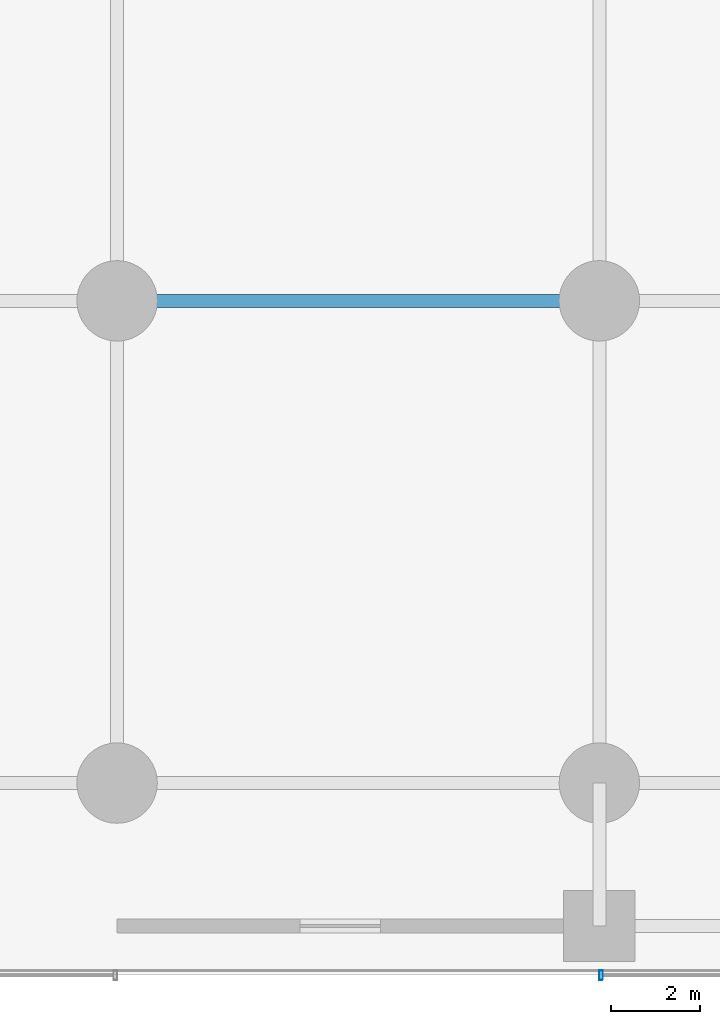
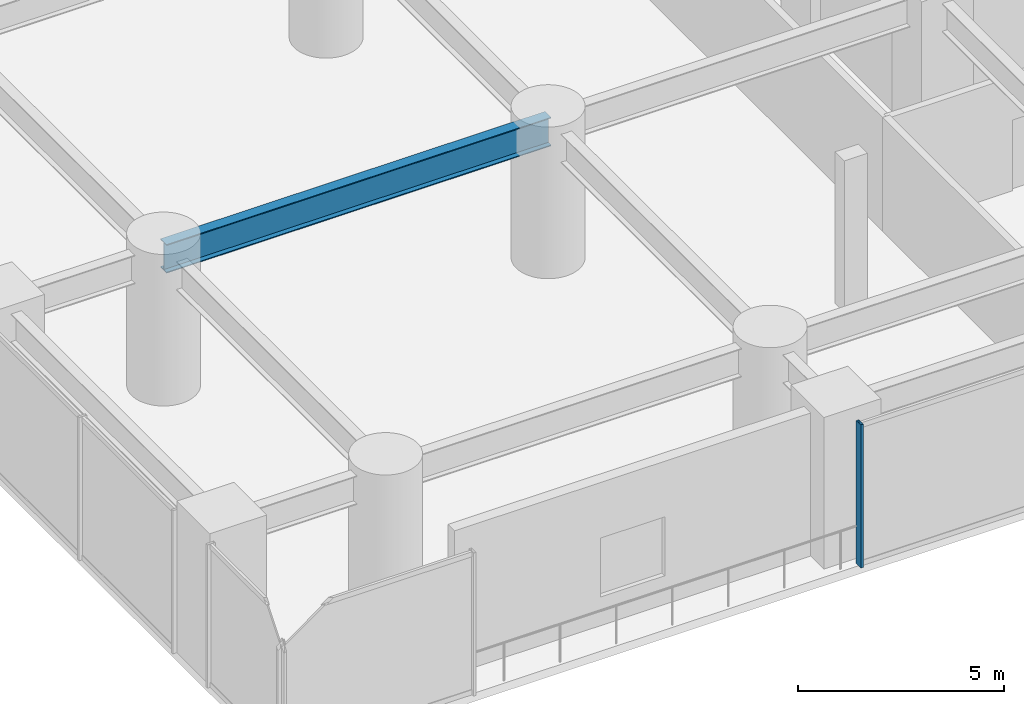
# One storey, part 4 of 36: 1 beam, 1 member, 1 element without a shape of its own.
"""IFC4 building model written with IfcOpenShell, lengths in metres."""

import ifcopenshell
import ifcopenshell.guid

model = None  # the IFC model being written
_history = None  # IfcOwnerHistory: only IFC2X3 demands one
_inside = {}  # id of a spatial element -> (the spatial element, [elements in it])
_under = {}  # id of a project, library or spatial element -> (it, [spatial elements below it])
_declared = {}  # id of a project -> (the project, [libraries it declares])
_typed = {}  # id of a type object -> (the type object, [elements of that type])
_made_of = {}  # id of a material, layer set ... -> (it, [elements and type objects made of it])


def new_model(schema):
    """Start an empty IFC model of exactly this schema.

    Asked for "IFC4X3", IfcOpenShell would pick the latest addendum, in which some entities
    have other attributes; the version numbers below select the first issue.
    IFC2X3 requires an IfcOwnerHistory on every rooted entity: one is made here for all.
    """
    global model, _history
    if schema == "IFC4X3":
        model = ifcopenshell.file(schema_version=(4, 3, 0, 0))
    else:
        model = ifcopenshell.file(schema=schema)
    _inside.clear()
    _under.clear()
    _declared.clear()
    _typed.clear()
    _made_of.clear()
    _history = None
    if model.schema == "IFC2X3":
        org = make("IfcOrganization", Name="unknown")
        user = make(
            "IfcPersonAndOrganization",
            ThePerson=make("IfcPerson", FamilyName="unknown"),
            TheOrganization=org,
        )
        app = make(
            "IfcApplication",
            ApplicationDeveloper=org,
            Version="unknown",
            ApplicationFullName="unknown",
            ApplicationIdentifier="unknown",
        )
        _history = make(
            "IfcOwnerHistory",
            OwningUser=user,
            OwningApplication=app,
            ChangeAction="ADDED",
            CreationDate=0,
        )
    return model


def make(cls, **values):
    """One entity of the class cls with the attributes given. An attribute that is None is left unset."""
    return model.create_entity(
        cls, **{name: value for name, value in values.items() if value is not None}
    )


def rooted(cls, **values):
    """An entity with a GlobalId (a new one), such as an element, a storey or a relation."""
    return make(cls, GlobalId=ifcopenshell.guid.new(), OwnerHistory=_history, **values)


def si_unit(unit_type, name, prefix=None):
    """IfcSIUnit, for example si_unit("LENGTHUNIT", "METRE", prefix="MILLI")."""
    return make("IfcSIUnit", UnitType=unit_type, Prefix=prefix, Name=name)


def assignment(units):
    """IfcUnitAssignment: the units of a project."""
    return None if units is None else make("IfcUnitAssignment", Units=units)


def point(xyz):
    """IfcCartesianPoint."""
    return None if xyz is None else make("IfcCartesianPoint", Coordinates=xyz)


def direction(xyz):
    """IfcDirection."""
    return None if xyz is None else make("IfcDirection", DirectionRatios=xyz)


def frame(location, z_axis=None, x_axis=None):
    """IfcAxis2Placement3D, a coordinate frame: its origin and axes. An axis left out is left unset."""
    return make(
        "IfcAxis2Placement3D",
        Location=point(location),
        Axis=direction(z_axis),
        RefDirection=direction(x_axis),
    )


def frame_2d(location, x_axis=None):
    """IfcAxis2Placement2D, a coordinate frame in the plane: its origin and x axis."""
    return make(
        "IfcAxis2Placement2D", Location=point(location), RefDirection=direction(x_axis)
    )


def origin():
    """The frame at (0, 0, 0) with its axes left unset."""
    return frame((0.0, 0.0, 0.0))


def origin_2d():
    """The frame at (0, 0) in the plane with its x axis left unset."""
    return frame_2d((0.0, 0.0))


def place(relative_to, where):
    """IfcLocalPlacement: puts the frame where relative to a parent placement (None: the world)."""
    return make(
        "IfcLocalPlacement", PlacementRelTo=relative_to, RelativePlacement=where
    )


def context(
    kind, dimensions, precision=None, world=None, true_north=None, identifier=None
):
    """IfcGeometricRepresentationContext, for example the 3D "Model" context."""
    return make(
        "IfcGeometricRepresentationContext",
        ContextIdentifier=identifier,
        ContextType=kind,
        CoordinateSpaceDimension=dimensions,
        Precision=precision,
        WorldCoordinateSystem=world,
        TrueNorth=true_north,
    )


def subcontext(parent, identifier, kind, view, scale=None):
    """IfcGeometricRepresentationSubContext, for example "Body" below "Model"."""
    return make(
        "IfcGeometricRepresentationSubContext",
        ContextIdentifier=identifier,
        ContextType=kind,
        ParentContext=parent,
        TargetScale=scale,
        TargetView=view,
    )


def project(units=None, contexts=None):
    """IfcProject with its units and contexts."""
    return rooted(
        "IfcProject",
        Name="project",
        RepresentationContexts=contexts,
        UnitsInContext=assignment(units),
    )


def spatial(cls, under=None, at=None, **own):
    """A site, building, storey or space (cls), placed at a placement, below another one or the project."""
    s = rooted(cls, ObjectPlacement=at, **own)
    if under is not None:
        _under.setdefault(under.id(), (under, []))[1].append(s)
    return s


def profile(cls, at=None, kind="AREA", **sizes):
    """A parametric profile (cls). Its sizes go by their IFC names, for example OverallWidth=200.0."""
    return make(cls, ProfileType=kind, Position=at, **sizes)


def hollow_rectangle(**sizes):
    """IfcRectangleHollowProfileDef."""
    return profile("IfcRectangleHollowProfileDef", **sizes)


def i_section(**sizes):
    """IfcIShapeProfileDef."""
    return profile("IfcIShapeProfileDef", **sizes)


def extrude(swept, where, along, depth):
    """IfcExtrudedAreaSolid: the profile swept, set in the frame where, extruded along a direction by depth."""
    return make(
        "IfcExtrudedAreaSolid",
        SweptArea=swept,
        Position=where,
        ExtrudedDirection=direction(along),
        Depth=depth,
    )


def shape(context_of_items, identifier, shape_type, items):
    """IfcShapeRepresentation: the items that make up one representation, for example the "Body"."""
    return make(
        "IfcShapeRepresentation",
        ContextOfItems=context_of_items,
        RepresentationIdentifier=identifier,
        RepresentationType=shape_type,
        Items=items,
    )


def material(Name=None, Category=None):
    """IfcMaterial."""
    return make("IfcMaterial", Name=Name, Category=Category)


def layer(
    of_material, thickness, ventilated=None, Name=None, Category=None, Priority=None
):
    """IfcMaterialLayer: one layer of a wall or slab, of a material (None: an air gap)."""
    return make(
        "IfcMaterialLayer",
        Material=of_material,
        LayerThickness=thickness,
        IsVentilated=ventilated,
        Name=Name,
        Category=Category,
        Priority=Priority,
    )


def layer_set(layers, Name=None):
    """IfcMaterialLayerSet."""
    return make("IfcMaterialLayerSet", MaterialLayers=layers, LayerSetName=Name)


def material_profile(
    of_material, cross_section, Name=None, Category=None, Priority=None
):
    """IfcMaterialProfile: a cross section and its material."""
    return make(
        "IfcMaterialProfile",
        Name=Name,
        Material=of_material,
        Profile=cross_section,
        Priority=Priority,
        Category=Category,
    )


def profile_set(profiles, Name=None, composite=None):
    """IfcMaterialProfileSet."""
    return make(
        "IfcMaterialProfileSet",
        Name=Name,
        MaterialProfiles=profiles,
        CompositeProfile=composite,
    )


def made_of(thing, what):
    """Note that an element or type object is made of a material, layer set ...; save() writes the relation."""
    if what is not None:
        _made_of.setdefault(what.id(), (what, []))[1].append(thing)
    return thing


def type_object(cls, material=None, **own):
    """A type object (cls), such as IfcWallType, which elements share."""
    return made_of(rooted(cls, **own), material)


def element(
    cls,
    number,
    at=None,
    inside=None,
    cuts=None,
    type_object=None,
    material=None,
    context=None,
    identifier="Body",
    shape_type=None,
    held_by="IfcProductDefinitionShape",
    body=None,
    shapes=None,
    **own,
):
    """One element of the class cls, such as IfcWall. Its Tag is "e" and its number.

    at: its placement. inside: the storey or other place that contains it. cuts: it is an
    opening in that element (IfcRelVoidsElement). A single representation is given by context,
    identifier, shape_type and body (its items); several are given by shapes. held_by: the class
    of the entity that holds the representations. save() writes the other relations.
    """
    e = rooted(cls, Tag="e%d" % number, ObjectPlacement=at, **own)
    if body is not None:
        shapes = [shape(context, identifier, shape_type, body)]
    if shapes is not None:
        e.Representation = make(held_by, Representations=shapes)
    if inside is not None:
        _inside.setdefault(inside.id(), (inside, []))[1].append(e)
    if cuts is not None:
        rooted(
            "IfcRelVoidsElement", RelatingBuildingElement=cuts, RelatedOpeningElement=e
        )
    if type_object is not None:
        _typed.setdefault(type_object.id(), (type_object, []))[1].append(e)
    return made_of(e, material)


def aggregate(whole, parts):
    """IfcRelAggregates: a whole, such as a stair, and the parts it consists of."""
    return rooted("IfcRelAggregates", RelatingObject=whole, RelatedObjects=parts)


def save(model, path):
    """Write the relations noted so far, then the file.

    IfcRelAggregates (storeys below a building ...), IfcRelContainedInSpatialStructure (elements
    in a storey), IfcRelDefinesByType, IfcRelAssociatesMaterial and IfcRelDeclares: one each for
    every whole, place, type object, material and project.
    """
    for whole, parts in _under.values():
        aggregate(whole, parts)
    for where, things in _inside.values():
        rooted(
            "IfcRelContainedInSpatialStructure",
            RelatedElements=things,
            RelatingStructure=where,
        )
    for kind, things in _typed.values():
        rooted("IfcRelDefinesByType", RelatedObjects=things, RelatingType=kind)
    for what, things in _made_of.values():
        rooted("IfcRelAssociatesMaterial", RelatedObjects=things, RelatingMaterial=what)
    for by, libraries in _declared.values():
        rooted("IfcRelDeclares", RelatingContext=by, RelatedDefinitions=libraries)
    model.write(path)


model = new_model("IFC4")

# Units and contexts
model_context = context("Model", 3, precision=1e-05, world=origin(), true_north=direction((0.0, 1.0)))
body_context = subcontext(model_context, "Body", "Model", "MODEL_VIEW")
ifc_project = project(units=[si_unit("LENGTHUNIT", "METRE"), si_unit("AREAUNIT", "SQUARE_METRE"), si_unit("VOLUMEUNIT", "CUBIC_METRE"), si_unit("PLANEANGLEUNIT", "RADIAN"), si_unit("MASSUNIT", "GRAM", prefix="KILO")], contexts=[model_context])

# Site, building, storey
site_placement = place(None, origin())
site = spatial("IfcSite", under=ifc_project, at=site_placement, CompositionType="ELEMENT")
building_placement = place(site_placement, origin())
building = spatial("IfcBuilding", under=site, at=building_placement, Name="Surkhivell Harbour Commons", CompositionType="ELEMENT")
storey_placement = place(building_placement, frame((0.0, 0.0, 9.0)))
storey = spatial("IfcBuildingStorey", under=building, at=storey_placement, Name="L02", CompositionType="ELEMENT", Elevation=9.0)

# Beam
ifc_material_1 = material(Name="Steel S460", Category="steel")
ifc_material_profile_1 = material_profile(ifc_material_1, i_section(OverallWidth=0.2939453125, OverallDepth=0.85107421875, WebThickness=0.01611328125, FlangeThickness=0.02685546875, at=origin_2d()), Name="UB838x292x226")
ifc_profile_set_1 = profile_set([ifc_material_profile_1], Name="Steel S460")
beam_type = type_object("IfcBeamType", Name="BM-SPN-838", PredefinedType="SPANDREL", material=ifc_profile_set_1)
beam_placement = place(storey_placement, frame((-32.39990234375, -10.800048828125, 3.824462890625), z_axis=(1.0, 0.0, 0.0), x_axis=(0.0, 1.0, 0.0)))
element("IfcBeam", 1, at=beam_placement, inside=storey, type_object=beam_type, Name="L02 Framing Beam (-32.4,-10.8)", PredefinedType="SPANDREL", context=body_context, shape_type="SweptSolid", body=[
    extrude(i_section(OverallWidth=0.2939453125, OverallDepth=0.85107421875, WebThickness=0.01611328125, FlangeThickness=0.02685546875, at=origin_2d()), origin(), (0.0, 0.0, 1.0), 10.7998046875),
])

# Curtain wall, member
ifc_material_2 = material(Name="Anodised pale-metal aluminium and insulated glazing", Category="aluminium")
ifc_layer = layer(ifc_material_2, 0.239990234375)
ifc_layer_set = layer_set([ifc_layer], Name="Anodised pale-metal aluminium and insulated glazing")
curtain_wall_type = type_object("IfcCurtainWallType", Name="CW-SYS-POD", PredefinedType="NOTDEFINED", material=ifc_layer_set)
curtain_wall_placement = place(storey_placement, origin())
curtain_wall = element("IfcCurtainWall", 2, at=curtain_wall_placement, inside=storey, type_object=curtain_wall_type, Name="L02 Curtain Wall CW-L02-S3", PredefinedType="NOTDEFINED")
ifc_material_3 = material(Name="Anodised pale-metal aluminium alloy 6063-T6", Category="aluminium")
ifc_material_profile_2 = material_profile(ifc_material_3, hollow_rectangle(XDim=0.074951171875, YDim=0.219970703125, WallThickness=0.00390625, at=origin_2d()), Name="ALU-MULL-75x220")
ifc_profile_set_2 = profile_set([ifc_material_profile_2], Name="Anodised pale-metal aluminium alloy 6063-T6")
member_type = type_object("IfcMemberType", Name="CWM-220", PredefinedType="MULLION", material=ifc_profile_set_2)
member_placement = place(storey_placement, frame((-21.5625, -25.89990234375, 0.0), z_axis=(0.0, 0.0, 1.0), x_axis=(-1.0, 0.0, 0.0)))
member = element("IfcMember", 3, at=member_placement, type_object=member_type, Name="CW-POD mullion 3", PredefinedType="MULLION", context=body_context, shape_type="SweptSolid", body=[
    extrude(hollow_rectangle(XDim=0.074951171875, YDim=0.219970703125, WallThickness=0.00390625, at=origin_2d()), origin(), (0.0, 0.0, 1.0), 4.25),
])
aggregate(curtain_wall, [member])

save(model, "model.ifc")
